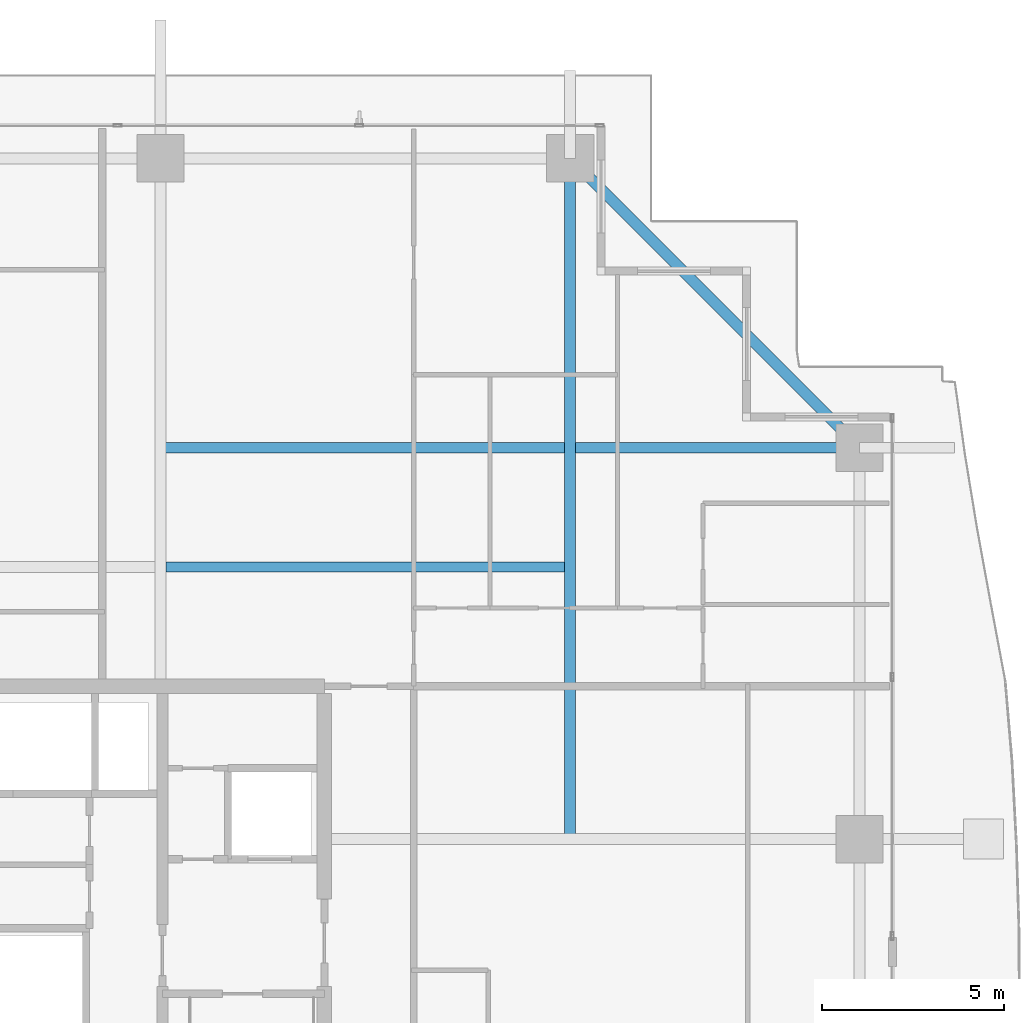
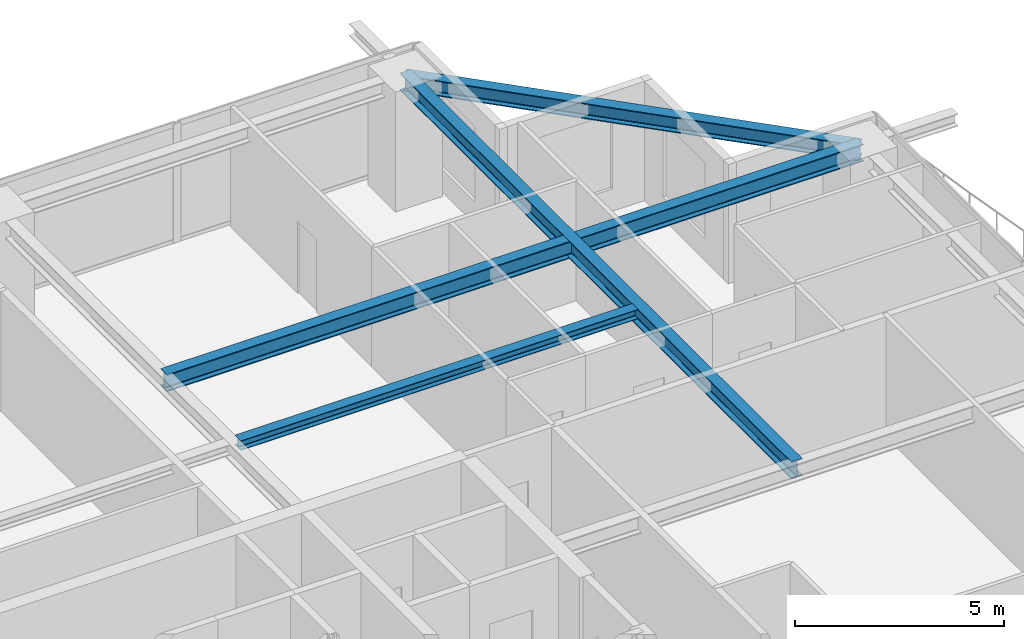
# One storey, part 21 of 35: 4 beams.
"""IFC4 building model written with IfcOpenShell, lengths in metres."""

from ifc_helpers import new_model, si_unit, direction, frame, origin, origin_2d, place, context, subcontext, project, spatial, i_section, extrude, source, transform, mapped, material, material_profile, profile_set, type_object, element, save


model = new_model("IFC4")

# Units and contexts
model_context = context("Model", 3, precision=1e-05, world=origin(), true_north=direction((0.0, 1.0)))
body_context = subcontext(model_context, "Body", "Model", "MODEL_VIEW")
ifc_project = project(units=[si_unit("LENGTHUNIT", "METRE"), si_unit("AREAUNIT", "SQUARE_METRE"), si_unit("VOLUMEUNIT", "CUBIC_METRE"), si_unit("PLANEANGLEUNIT", "RADIAN"), si_unit("MASSUNIT", "GRAM", prefix="KILO")], contexts=[model_context])

# Site, building, storey
site_placement = place(None, origin())
site = spatial("IfcSite", under=ifc_project, at=site_placement, CompositionType="ELEMENT")
building_placement = place(site_placement, origin())
building = spatial("IfcBuilding", under=site, at=building_placement, Name="Serunith Strait Residences", CompositionType="ELEMENT")
storey_placement = place(building_placement, frame((0.0, 0.0, 191.39990234375)))
storey = spatial("IfcBuildingStorey", under=building, at=storey_placement, Name="L48", CompositionType="ELEMENT", Elevation=191.39990234375)

# Beams
ifc_material = material(Name="Steel S355J2", Category="steel")
ifc_material_profile_1 = material_profile(ifc_material, i_section(OverallWidth=0.300048828125, OverallDepth=0.5, WebThickness=0.014404296875, FlangeThickness=0.028076171875, FilletRadius=0.027099609375, at=origin_2d()), Name="HEB 500")
ifc_profile_set_1 = profile_set([ifc_material_profile_1], Name="Steel S355J2")
beam_type_1 = type_object("IfcBeamType", Name="BM-HEB500", PredefinedType="BEAM", material=ifc_profile_set_1)
shared_shape_1 = source(origin(), body_context, "Body", "SweptSolid", [
    extrude(i_section(OverallWidth=0.300048828125, OverallDepth=0.5, WebThickness=0.014404296875, FlangeThickness=0.028076171875, FilletRadius=0.027099609375, at=origin_2d()), origin(), (0.0, 0.0, 1.0), 18.7001953125),
])
beam_1_placement = place(storey_placement, frame((48.14990234375, 29.39990234375, 3.237060546875), z_axis=(0.0, 1.0, 0.0), x_axis=(-1.0, 0.0, 0.0)))
element("IfcBeam", 1, at=beam_1_placement, inside=storey, type_object=beam_type_1, Name="L48 Orthogonal Corner Girder TC-N4", PredefinedType="BEAM", context=body_context, shape_type="MappedRepresentation", body=[
    mapped(shared_shape_1, transform((0.0, 0.0, 0.0), scale=1.0)),
])
shared_shape_2 = source(origin(), body_context, "Body", "SweptSolid", [
    extrude(i_section(OverallWidth=0.300048828125, OverallDepth=0.5, WebThickness=0.014404296875, FlangeThickness=0.028076171875, FilletRadius=0.027099609375, at=origin_2d()), origin(), (0.0, 0.0, 1.0), 19.2001953125),
])
beam_2_placement = place(storey_placement, frame((36.89990234375, 40.14990234375, 3.237060546875), z_axis=(1.0, 0.0, 0.0), x_axis=(0.0, 1.0, 0.0)))
element("IfcBeam", 2, at=beam_2_placement, inside=storey, type_object=beam_type_1, Name="L48 Orthogonal Corner Girder TC-E4", PredefinedType="BEAM", context=body_context, shape_type="MappedRepresentation", body=[
    mapped(shared_shape_2, transform((0.0, 0.0, 0.0), scale=1.0)),
])
ifc_material_profile_2 = material_profile(ifc_material, i_section(OverallWidth=0.300048828125, OverallDepth=0.449951171875, WebThickness=0.013916015625, FlangeThickness=0.02587890625, FilletRadius=0.027099609375, at=origin_2d()), Name="HEB 450")
ifc_profile_set_2 = profile_set([ifc_material_profile_2], Name="Steel S355J2")
beam_type_2 = type_object("IfcBeamType", Name="BM-HEB450", PredefinedType="BEAM", material=ifc_profile_set_2)
shared_shape_3 = source(origin(), body_context, "Body", "SweptSolid", [
    extrude(i_section(OverallWidth=0.300048828125, OverallDepth=0.449951171875, WebThickness=0.013916015625, FlangeThickness=0.02587890625, FilletRadius=0.027099609375, at=origin_2d()), origin(), (0.0, 0.0, 1.0), 11.2431640625),
])
beam_3_placement = place(storey_placement, frame((56.10009765625, 40.14990234375, 3.232177734375), z_axis=(-0.707106781187, 0.707106781187, 0.0), x_axis=(-0.707106781187, -0.707106781187, 0.0)))
element("IfcBeam", 3, at=beam_3_placement, inside=storey, type_object=beam_type_2, Name="L48 Perimeter Ring Beam 08", PredefinedType="BEAM", context=body_context, shape_type="MappedRepresentation", body=[
    mapped(shared_shape_3, transform((0.0, 0.0, 0.0), scale=1.0)),
])
ifc_material_profile_3 = material_profile(ifc_material, i_section(OverallWidth=0.280029296875, OverallDepth=0.280029296875, WebThickness=0.010498046875, FlangeThickness=0.01806640625, FilletRadius=0.02392578125, at=origin_2d()), Name="HEB 280")
ifc_profile_set_3 = profile_set([ifc_material_profile_3], Name="Steel S355J2")
beam_type_3 = type_object("IfcBeamType", Name="BM-HEB280", PredefinedType="JOIST", material=ifc_profile_set_3)
shared_shape_4 = source(origin(), body_context, "Body", "SweptSolid", [
    extrude(i_section(OverallWidth=0.280029296875, OverallDepth=0.280029296875, WebThickness=0.010498046875, FlangeThickness=0.01806640625, FilletRadius=0.02392578125, at=origin_2d()), origin(), (0.0, 0.0, 1.0), 10.949951171875),
])
beam_4_placement = place(storey_placement, frame((37.050048828125, 36.875, 3.34716796875), z_axis=(1.0, 0.0, 0.0), x_axis=(0.0, 1.0, 0.0)))
element("IfcBeam", 4, at=beam_4_placement, inside=storey, type_object=beam_type_3, Name="L48 Composite Floor Joist 06", PredefinedType="JOIST", context=body_context, shape_type="MappedRepresentation", body=[
    mapped(shared_shape_4, transform((0.0, 0.0, 0.0), scale=1.0)),
])

save(model, "model.ifc")
